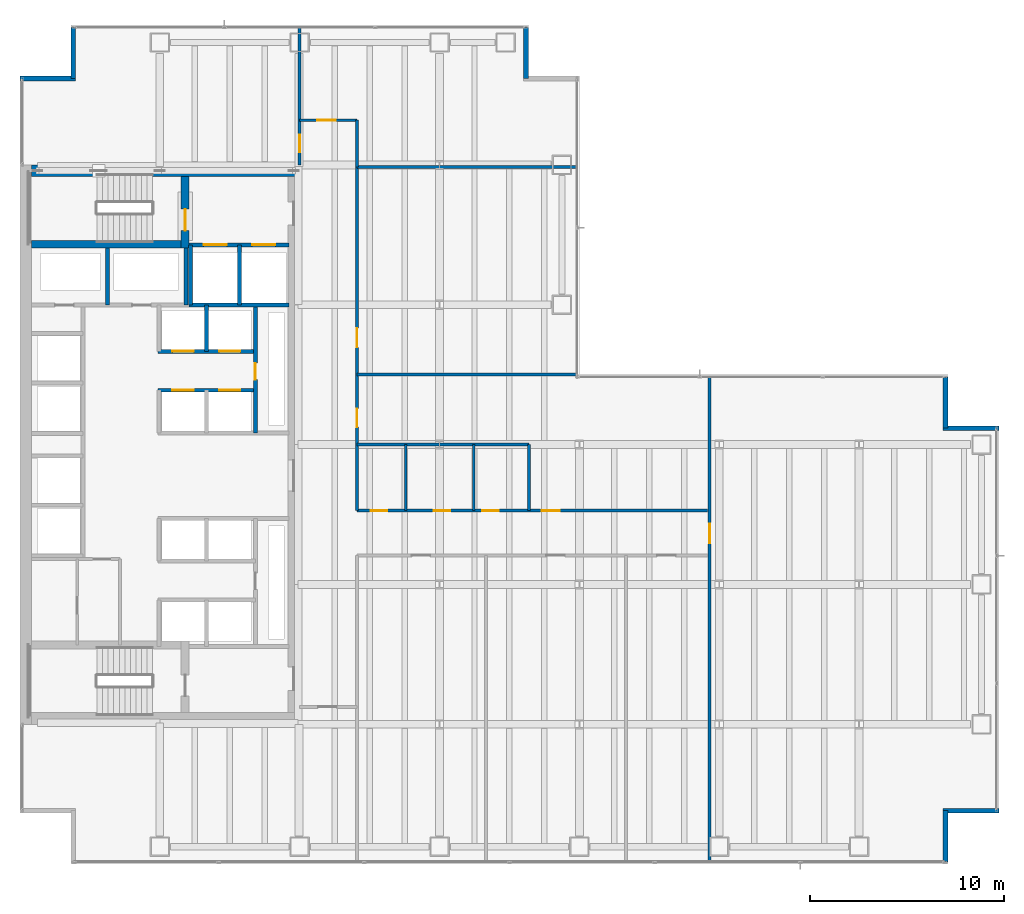
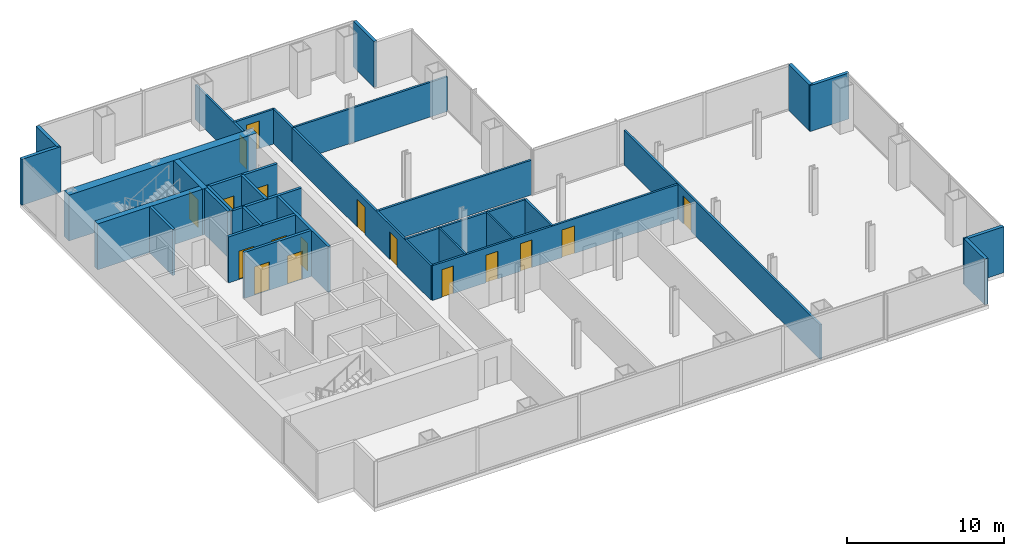
# One storey, part 21 of 25: 32 walls, 17 doors, 17 openings.
"""IFC4 building model written with IfcOpenShell, lengths in metres."""

from ifc_helpers import new_model, si_unit, direction, frame, frame_2d, origin, place, context, subcontext, project, spatial, rectangle, extrude, material, layer, layer_set, type_object, element, fill, save


model = new_model("IFC4")

# Units and contexts
model_context = context("Model", 3, precision=1e-05, world=origin(), true_north=direction((0.0, 1.0)))
body_context = subcontext(model_context, "Body", "Model", "MODEL_VIEW")
ifc_project = project(units=[si_unit("LENGTHUNIT", "METRE"), si_unit("AREAUNIT", "SQUARE_METRE"), si_unit("VOLUMEUNIT", "CUBIC_METRE"), si_unit("PLANEANGLEUNIT", "RADIAN"), si_unit("MASSUNIT", "GRAM", prefix="KILO")], contexts=[model_context])

# Site, building, storey
site_placement = place(None, origin())
site = spatial("IfcSite", under=ifc_project, at=site_placement, CompositionType="ELEMENT")
building_placement = place(site_placement, origin())
building = spatial("IfcBuilding", under=site, at=building_placement, Name="Cobrela Telecom Tower", CompositionType="ELEMENT")
storey_placement = place(building_placement, frame((0.0, 0.0, 46.550048828125)))
storey = spatial("IfcBuildingStorey", under=building, at=storey_placement, Name="L11", CompositionType="ELEMENT", Elevation=46.550048828125)

# Walls
ifc_material_1 = material(Name="Concrete C50/60", Category="concrete")
ifc_layer_1 = layer(ifc_material_1, 0.60009765625)
ifc_layer_set_1 = layer_set([ifc_layer_1], Name="Concrete C50/60")
wall_type_1 = type_object("IfcWallType", Name="WALL-CORE-C50-600", PredefinedType="SHEAR", material=ifc_layer_set_1)
wall_1_placement = place(storey_placement, frame((0.60009765625, 35.699951171875, 0.0), z_axis=(0.0, 0.0, 1.0), x_axis=(1.0, 0.0, 0.0)))
element("IfcWall", 1, at=wall_1_placement, inside=storey, type_object=wall_type_1, Name="L11 North Core Shear Wall", PredefinedType="SHEAR", context=body_context, shape_type="SweptSolid", body=[
    extrude(rectangle(XDim=13.7998046875, YDim=0.60009765625, at=frame_2d((6.89990234375, 0.0))), origin(), (0.0, 0.0, 1.0), 3.570068359375),
])
ifc_material_2 = material(Name="Concrete C40/50", Category="concrete")
ifc_layer_2 = layer(ifc_material_2, 0.239990234375)
ifc_layer_set_2 = layer_set([ifc_layer_2], Name="Concrete C40/50")
wall_type_2 = type_object("IfcWallType", Name="WALL-EXT-300", PredefinedType="STANDARD", material=ifc_layer_set_2)
wall_2_placement = place(storey_placement, frame((0.0, 40.449951171875, 0.0), z_axis=(0.0, 0.0, 1.0), x_axis=(1.0, 0.0, 0.0)))
element("IfcWall", 2, at=wall_2_placement, inside=storey, type_object=wall_type_2, Name="L11 Insulated Facade Wall 05", PredefinedType="STANDARD", context=body_context, shape_type="SweptSolid", body=[
    extrude(rectangle(XDim=2.8701171875, YDim=0.239990234375, at=frame_2d((1.43505859375, 0.0))), origin(), (0.0, 0.0, 1.0), 3.570068359375),
])
for number, where, z_axis, x_axis, name in (
    (3, (2.75, 40.449951171875, 0.0), (0.0, 0.0, 1.0), (0.0, 1.0, 0.0), "L11 Insulated Facade Wall 06"),
    (4, (26.050048828125, 43.080078125, 0.0), (0.0, 0.0, 1.0), (0.0, -1.0, 0.0), "L11 Insulated Facade Wall 08"),
    (5, (47.64990234375, 25.080078125, 0.0), (0.0, 0.0, 1.0), (0.0, -1.0, 0.0), "L11 Insulated Facade Wall 12"),
):
    element("IfcWall", number, at=place(storey_placement, frame(where, z_axis=z_axis, x_axis=x_axis)), inside=storey, type_object=wall_type_2, Name=name, PredefinedType="STANDARD", context=body_context, shape_type="SweptSolid", body=[
        extrude(rectangle(XDim=2.630126953125, YDim=0.239990234375, at=frame_2d((1.31494140625, 0.0))), origin(), (0.0, 0.0, 1.0), 3.570068359375),
    ])
for number, where, z_axis, x_axis, name in (
    (6, (47.530029296875, 22.449951171875, 0.0), (0.0, 0.0, 1.0), (1.0, 0.0, 0.0), "L11 Insulated Facade Wall 13"),
    (7, (50.39990234375, 2.75, 0.0), (0.0, 0.0, 1.0), (-1.0, 0.0, 0.0), "L11 Insulated Facade Wall 15"),
):
    element("IfcWall", number, at=place(storey_placement, frame(where, z_axis=z_axis, x_axis=x_axis)), inside=storey, type_object=wall_type_2, Name=name, PredefinedType="STANDARD", context=body_context, shape_type="SweptSolid", body=[
        extrude(rectangle(XDim=2.869873046875, YDim=0.239990234375, at=frame_2d((1.43505859375, 0.0))), origin(), (0.0, 0.0, 1.0), 3.570068359375),
    ])
wall_3_placement = place(storey_placement, frame((47.64990234375, 2.75, 0.0), z_axis=(0.0, 0.0, 1.0), x_axis=(0.0, -1.0, 0.0)))
element("IfcWall", 8, at=wall_3_placement, inside=storey, type_object=wall_type_2, Name="L11 Insulated Facade Wall 16", PredefinedType="STANDARD", context=body_context, shape_type="SweptSolid", body=[
    extrude(rectangle(XDim=2.6298828125, YDim=0.239990234375, at=frame_2d((1.31494140625, 0.0))), origin(), (0.0, 0.0, 1.0), 3.570068359375),
])
ifc_material_3 = material(Name="Fire-Rated Gypsum Plasterboard")
ifc_layer_3 = layer(ifc_material_3, 0.125)
ifc_layer_set_3 = layer_set([ifc_layer_3], Name="Fire-Rated Gypsum Plasterboard")
wall_type_3 = type_object("IfcWallType", Name="WALL-PART-125", PredefinedType="PARTITIONING", material=ifc_layer_set_3)
for number, where, z_axis, x_axis, name in (
    (9, (19.85009765625, 18.199951171875, 0.0), (0.0, 0.0, 1.0), (0.0, 1.0, 0.0), "L11 Interior Partition W-WCV-1"),
    (10, (23.35009765625, 18.199951171875, 0.0), (0.0, 0.0, 1.0), (0.0, 1.0, 0.0), "L11 Interior Partition W-WCV-2"),
):
    element("IfcWall", number, at=place(storey_placement, frame(where, z_axis=z_axis, x_axis=x_axis)), inside=storey, type_object=wall_type_3, Name=name, PredefinedType="PARTITIONING", context=body_context, shape_type="SweptSolid", body=[
        extrude(rectangle(XDim=3.400146484375, YDim=0.125, at=frame_2d((1.7001953125, 0.0))), origin(), (0.0, 0.0, 1.0), 2.698974609375),
    ])

# Wall, openings, doors
ifc_layer_4 = layer(ifc_material_3, 0.14990234375)
ifc_layer_set_4 = layer_set([ifc_layer_4], Name="Fire-Rated Gypsum Plasterboard")
wall_type_4 = type_object("IfcWallType", Name="WALL-PART-150", PredefinedType="PARTITIONING", material=ifc_layer_set_4)
wall_4_placement = place(storey_placement, frame((17.35009765625, 18.199951171875, 0.0), z_axis=(0.0, 0.0, 1.0), x_axis=(0.0, 1.0, 0.0)))
wall_4 = element("IfcWall", 11, at=wall_4_placement, inside=storey, type_object=wall_type_4, Name="L11 Interior Partition W-C-E2", PredefinedType="PARTITIONING", context=body_context, shape_type="SweptSolid", body=[
    extrude(rectangle(XDim=17.699951171875, YDim=0.14990234375, at=frame_2d((8.85009765625, 0.0))), origin(), (0.0, 0.0, 1.0), 2.698974609375),
])
opening_1_placement = place(wall_4_placement, frame((4.300048828125, 0.0, 0.0)))
opening_1 = element("IfcOpeningElement", 12, at=opening_1_placement, cuts=wall_4, Name="Opening DR-67", PredefinedType="OPENING", context=body_context, shape_type="SweptSolid", body=[
    extrude(rectangle(XDim=0.949951171875, YDim=2.14990234375, at=frame_2d((0.47509765625, 1.074951171875))), frame((0.0, 0.0869140625, 0.0), z_axis=(0.0, -1.0, 0.0), x_axis=(1.0, 0.0, 0.0)), (0.0, 0.0, 1.0), 0.173828125),
])
opening_2_placement = place(wall_4_placement, frame((8.39990234375, 0.0, 0.0)))
opening_2 = element("IfcOpeningElement", 13, at=opening_2_placement, cuts=wall_4, Name="Opening DR-31", PredefinedType="OPENING", context=body_context, shape_type="SweptSolid", body=[
    extrude(rectangle(XDim=1.0, YDim=2.14990234375, at=frame_2d((0.5, 1.074951171875))), frame((0.0, 0.0869140625, 0.0), z_axis=(0.0, -1.0, 0.0), x_axis=(1.0, 0.0, 0.0)), (0.0, 0.0, 1.0), 0.173828125),
])
ifc_material_4 = material(Name="Solid Engineered Oak Timber", Category="wood")
door_type_1 = type_object("IfcDoorType", Name="DOOR-INT-1000", OperationType="SINGLE_SWING_LEFT", PredefinedType="DOOR", material=ifc_material_4)
door_1_placement = place(opening_2_placement, origin())
door_1 = element("IfcDoor", 14, at=door_1_placement, inside=storey, type_object=door_type_1, Name="L11 Door DR-31", OperationType="SINGLE_SWING_LEFT", OverallHeight=2.14990234375, OverallWidth=1.0, PredefinedType="DOOR", context=body_context, shape_type="SweptSolid", body=[
    extrude(rectangle(XDim=1.0, YDim=2.14990234375, at=frame_2d((0.5, 1.074951171875))), frame((0.0, 0.02490234375, 0.0), z_axis=(0.0, -1.0, 0.0), x_axis=(1.0, 0.0, 0.0)), (0.0, 0.0, 1.0), 0.050048828125),
])
fill(opening_2, door_1)
door_type_2 = type_object("IfcDoorType", Name="DOOR-INT-950", OperationType="SINGLE_SWING_LEFT", PredefinedType="DOOR", material=ifc_material_4)
door_2_placement = place(opening_1_placement, origin())
door_2 = element("IfcDoor", 15, at=door_2_placement, inside=storey, type_object=door_type_2, Name="L11 Door DR-67", OperationType="SINGLE_SWING_RIGHT", OverallHeight=2.14990234375, OverallWidth=0.949951171875, PredefinedType="DOOR", context=body_context, shape_type="SweptSolid", body=[
    extrude(rectangle(XDim=0.949951171875, YDim=2.14990234375, at=frame_2d((0.47509765625, 1.074951171875))), frame((0.0, 0.02490234375, 0.0), z_axis=(0.0, -1.0, 0.0), x_axis=(1.0, 0.0, 0.0)), (0.0, 0.0, 1.0), 0.050048828125),
])
fill(opening_1, door_2)

wall_5_placement = place(storey_placement, frame((17.35009765625, 18.199951171875, 0.0), z_axis=(0.0, 0.0, 1.0), x_axis=(1.0, 0.0, 0.0)))
wall_5 = element("IfcWall", 16, at=wall_5_placement, inside=storey, type_object=wall_type_4, Name="L11 Interior Partition W-C-HN", PredefinedType="PARTITIONING", context=body_context, shape_type="SweptSolid", body=[
    extrude(rectangle(XDim=18.0498046875, YDim=0.14990234375, at=frame_2d((9.02490234375, 0.0))), origin(), (0.0, 0.0, 1.0), 2.698974609375),
])
opening_3_placement = place(wall_5_placement, frame((0.699951171875, 0.0, 0.0)))
opening_3 = element("IfcOpeningElement", 17, at=opening_3_placement, cuts=wall_5, Name="Opening DR-11", PredefinedType="OPENING", context=body_context, shape_type="SweptSolid", body=[
    extrude(rectangle(XDim=0.85009765625, YDim=2.14990234375, at=frame_2d((0.425048828125, 1.074951171875))), frame((0.0, 0.0869140625, 0.0), z_axis=(0.0, -1.0, 0.0), x_axis=(1.0, 0.0, 0.0)), (0.0, 0.0, 1.0), 0.173828125),
])
opening_4_placement = place(wall_5_placement, frame((3.949951171875, 0.0, 0.0)))
opening_4 = element("IfcOpeningElement", 18, at=opening_4_placement, cuts=wall_5, Name="Opening DR-11", PredefinedType="OPENING", context=body_context, shape_type="SweptSolid", body=[
    extrude(rectangle(XDim=0.85009765625, YDim=2.14990234375, at=frame_2d((0.425048828125, 1.074951171875))), frame((0.0, 0.0869140625, 0.0), z_axis=(0.0, -1.0, 0.0), x_axis=(1.0, 0.0, 0.0)), (0.0, 0.0, 1.0), 0.173828125),
])
opening_5_placement = place(wall_5_placement, frame((6.4599609375, 0.0, 0.0)))
opening_5 = element("IfcOpeningElement", 19, at=opening_5_placement, cuts=wall_5, Name="Opening DR-11", PredefinedType="OPENING", context=body_context, shape_type="SweptSolid", body=[
    extrude(rectangle(XDim=0.85009765625, YDim=2.14990234375, at=frame_2d((0.425048828125, 1.074951171875))), frame((0.0, 0.0869140625, 0.0), z_axis=(0.0, -1.0, 0.0), x_axis=(1.0, 0.0, 0.0)), (0.0, 0.0, 1.0), 0.173828125),
])
opening_6_placement = place(wall_5_placement, frame((9.5, 0.0, 0.0)))
opening_6 = element("IfcOpeningElement", 20, at=opening_6_placement, cuts=wall_5, Name="Opening DR-67", PredefinedType="OPENING", context=body_context, shape_type="SweptSolid", body=[
    extrude(rectangle(XDim=0.949951171875, YDim=2.14990234375, at=frame_2d((0.47509765625, 1.074951171875))), frame((0.0, 0.0869140625, 0.0), z_axis=(0.0, -1.0, 0.0), x_axis=(1.0, 0.0, 0.0)), (0.0, 0.0, 1.0), 0.173828125),
])
door_type_3 = type_object("IfcDoorType", Name="DOOR-INT-850", OperationType="SINGLE_SWING_LEFT", PredefinedType="DOOR", material=ifc_material_4)
door_3_placement = place(opening_3_placement, origin())
door_3 = element("IfcDoor", 21, at=door_3_placement, inside=storey, type_object=door_type_3, Name="L11 Door DR-11", OperationType="SINGLE_SWING_LEFT", OverallHeight=2.14990234375, OverallWidth=0.85009765625, PredefinedType="DOOR", context=body_context, shape_type="SweptSolid", body=[
    extrude(rectangle(XDim=0.85009765625, YDim=2.14990234375, at=frame_2d((0.425048828125, 1.074951171875))), frame((0.0, 0.02490234375, 0.0), z_axis=(0.0, -1.0, 0.0), x_axis=(1.0, 0.0, 0.0)), (0.0, 0.0, 1.0), 0.050048828125),
])
fill(opening_3, door_3)
door_4_placement = place(opening_4_placement, origin())
door_4 = element("IfcDoor", 22, at=door_4_placement, inside=storey, type_object=door_type_3, Name="L11 Door DR-11", OperationType="SINGLE_SWING_RIGHT", OverallHeight=2.14990234375, OverallWidth=0.85009765625, PredefinedType="DOOR", context=body_context, shape_type="SweptSolid", body=[
    extrude(rectangle(XDim=0.85009765625, YDim=2.14990234375, at=frame_2d((0.425048828125, 1.074951171875))), frame((0.0, 0.02490234375, 0.0), z_axis=(0.0, -1.0, 0.0), x_axis=(1.0, 0.0, 0.0)), (0.0, 0.0, 1.0), 0.050048828125),
])
fill(opening_4, door_4)
door_5_placement = place(opening_5_placement, origin())
door_5 = element("IfcDoor", 23, at=door_5_placement, inside=storey, type_object=door_type_3, Name="L11 Door DR-11", OperationType="SINGLE_SWING_LEFT", OverallHeight=2.14990234375, OverallWidth=0.85009765625, PredefinedType="DOOR", context=body_context, shape_type="SweptSolid", body=[
    extrude(rectangle(XDim=0.85009765625, YDim=2.14990234375, at=frame_2d((0.425048828125, 1.074951171875))), frame((0.0, 0.02490234375, 0.0), z_axis=(0.0, -1.0, 0.0), x_axis=(1.0, 0.0, 0.0)), (0.0, 0.0, 1.0), 0.050048828125),
])
fill(opening_5, door_5)
door_6_placement = place(opening_6_placement, origin())
door_6 = element("IfcDoor", 24, at=door_6_placement, inside=storey, type_object=door_type_2, Name="L11 Door DR-67", OperationType="SINGLE_SWING_RIGHT", OverallHeight=2.14990234375, OverallWidth=0.949951171875, PredefinedType="DOOR", context=body_context, shape_type="SweptSolid", body=[
    extrude(rectangle(XDim=0.949951171875, YDim=2.14990234375, at=frame_2d((0.47509765625, 1.074951171875))), frame((0.0, 0.02490234375, 0.0), z_axis=(0.0, -1.0, 0.0), x_axis=(1.0, 0.0, 0.0)), (0.0, 0.0, 1.0), 0.050048828125),
])
fill(opening_6, door_6)

# Wall, opening, door
wall_6_placement = place(storey_placement, frame((35.5, 0.1201171875, 0.0), z_axis=(0.0, 0.0, 1.0), x_axis=(0.0, 1.0, 0.0)))
wall_6 = element("IfcWall", 25, at=wall_6_placement, inside=storey, type_object=wall_type_4, Name="L11 Interior Partition W-C-END", PredefinedType="PARTITIONING", context=body_context, shape_type="SweptSolid", body=[
    extrude(rectangle(XDim=24.9599609375, YDim=0.14990234375, at=frame_2d((12.47998046875, 0.0))), origin(), (0.0, 0.0, 1.0), 2.698974609375),
])
opening_7_placement = place(wall_6_placement, frame((16.39990234375, 0.0, 0.0)))
opening_7 = element("IfcOpeningElement", 26, at=opening_7_placement, cuts=wall_6, Name="Opening DR-31", PredefinedType="OPENING", context=body_context, shape_type="SweptSolid", body=[
    extrude(rectangle(XDim=1.0, YDim=2.14990234375, at=frame_2d((0.5, 1.074951171875))), frame((0.0, 0.0869140625, 0.0), z_axis=(0.0, -1.0, 0.0), x_axis=(1.0, 0.0, 0.0)), (0.0, 0.0, 1.0), 0.173828125),
])
door_7_placement = place(opening_7_placement, origin())
door_7 = element("IfcDoor", 27, at=door_7_placement, inside=storey, type_object=door_type_1, Name="L11 Door DR-31", OperationType="SINGLE_SWING_LEFT", OverallHeight=2.14990234375, OverallWidth=1.0, PredefinedType="DOOR", context=body_context, shape_type="SweptSolid", body=[
    extrude(rectangle(XDim=1.0, YDim=2.14990234375, at=frame_2d((0.5, 1.074951171875))), frame((0.0, 0.02490234375, 0.0), z_axis=(0.0, -1.0, 0.0), x_axis=(1.0, 0.0, 0.0)), (0.0, 0.0, 1.0), 0.050048828125),
])
fill(opening_7, door_7)

wall_7_placement = place(storey_placement, frame((14.39990234375, 36.0, 0.0), z_axis=(0.0, 0.0, 1.0), x_axis=(0.0, 1.0, 0.0)))
wall_7 = element("IfcWall", 28, at=wall_7_placement, inside=storey, type_object=wall_type_4, Name="L11 Interior Partition W-CN-W", PredefinedType="PARTITIONING", context=body_context, shape_type="SweptSolid", body=[
    extrude(rectangle(XDim=7.080078125, YDim=0.14990234375, at=frame_2d((3.5400390625, 0.0))), origin(), (0.0, 0.0, 1.0), 2.698974609375),
])
opening_8_placement = place(wall_7_placement, frame((0.64990234375, 0.0, 0.0)))
opening_8 = element("IfcOpeningElement", 29, at=opening_8_placement, cuts=wall_7, Name="Opening DR-41", PredefinedType="OPENING", context=body_context, shape_type="SweptSolid", body=[
    extrude(rectangle(XDim=0.89990234375, YDim=2.14990234375, at=frame_2d((0.449951171875, 1.074951171875))), frame((0.0, 0.0869140625, 0.0), z_axis=(0.0, -1.0, 0.0), x_axis=(1.0, 0.0, 0.0)), (0.0, 0.0, 1.0), 0.173828125),
])
door_type_4 = type_object("IfcDoorType", Name="DOOR-INT-900", OperationType="SINGLE_SWING_LEFT", PredefinedType="DOOR", material=ifc_material_4)
door_8_placement = place(opening_8_placement, origin())
door_8 = element("IfcDoor", 30, at=door_8_placement, inside=storey, type_object=door_type_4, Name="L11 Door DR-41", OperationType="SINGLE_SWING_LEFT", OverallHeight=2.14990234375, OverallWidth=0.89990234375, PredefinedType="DOOR", context=body_context, shape_type="SweptSolid", body=[
    extrude(rectangle(XDim=0.89990234375, YDim=2.14990234375, at=frame_2d((0.449951171875, 1.074951171875))), frame((0.0, 0.02490234375, 0.0), z_axis=(0.0, -1.0, 0.0), x_axis=(1.0, 0.0, 0.0)), (0.0, 0.0, 1.0), 0.050048828125),
])
fill(opening_8, door_8)

# Wall
wall_8_placement = place(storey_placement, frame((17.35009765625, 35.89990234375, 0.0), z_axis=(0.0, 0.0, 1.0), x_axis=(0.0, 1.0, 0.0)))
element("IfcWall", 31, at=wall_8_placement, inside=storey, type_object=wall_type_4, Name="L11 Interior Partition W-CN-E", PredefinedType="PARTITIONING", context=body_context, shape_type="SweptSolid", body=[
    extrude(rectangle(XDim=2.400146484375, YDim=0.14990234375, at=frame_2d((1.2001953125, 0.0))), origin(), (0.0, 0.0, 1.0), 2.698974609375),
])

# Wall, opening, door
wall_9_placement = place(storey_placement, frame((14.39990234375, 38.300048828125, 0.0), z_axis=(0.0, 0.0, 1.0), x_axis=(1.0, 0.0, 0.0)))
wall_9 = element("IfcWall", 32, at=wall_9_placement, inside=storey, type_object=wall_type_4, Name="L11 Interior Partition W-CN-T", PredefinedType="PARTITIONING", context=body_context, shape_type="SweptSolid", body=[
    extrude(rectangle(XDim=2.9501953125, YDim=0.14990234375, at=frame_2d((1.47509765625, 0.0))), origin(), (0.0, 0.0, 1.0), 2.698974609375),
])
opening_9_placement = place(wall_9_placement, frame((0.89990234375, 0.0, 0.0)))
opening_9 = element("IfcOpeningElement", 33, at=opening_9_placement, cuts=wall_9, Name="Opening DR-67", PredefinedType="OPENING", context=body_context, shape_type="SweptSolid", body=[
    extrude(rectangle(XDim=0.949951171875, YDim=2.14990234375, at=frame_2d((0.47509765625, 1.074951171875))), frame((0.0, 0.0869140625, 0.0), z_axis=(0.0, -1.0, 0.0), x_axis=(1.0, 0.0, 0.0)), (0.0, 0.0, 1.0), 0.173828125),
])
door_9_placement = place(opening_9_placement, origin())
door_9 = element("IfcDoor", 34, at=door_9_placement, inside=storey, type_object=door_type_2, Name="L11 Door DR-67", OperationType="SINGLE_SWING_RIGHT", OverallHeight=2.14990234375, OverallWidth=0.949951171875, PredefinedType="DOOR", context=body_context, shape_type="SweptSolid", body=[
    extrude(rectangle(XDim=0.949951171875, YDim=2.14990234375, at=frame_2d((0.47509765625, 1.074951171875))), frame((0.0, 0.02490234375, 0.0), z_axis=(0.0, -1.0, 0.0), x_axis=(1.0, 0.0, 0.0)), (0.0, 0.0, 1.0), 0.050048828125),
])
fill(opening_9, door_9)

# Walls
wall_10_placement = place(storey_placement, frame((17.35009765625, 35.89990234375, 0.0), z_axis=(0.0, 0.0, 1.0), x_axis=(1.0, 0.0, 0.0)))
element("IfcWall", 35, at=wall_10_placement, inside=storey, type_object=wall_type_4, Name="L11 Interior Partition W-NW2-S", PredefinedType="PARTITIONING", context=body_context, shape_type="SweptSolid", body=[
    extrude(rectangle(XDim=11.329833984375, YDim=0.14990234375, at=frame_2d((5.6650390625, 0.0))), origin(), (0.0, 0.0, 1.0), 2.698974609375),
])
wall_11_placement = place(storey_placement, frame((17.35009765625, 21.60009765625, 0.0), z_axis=(0.0, 0.0, 1.0), x_axis=(1.0, 0.0, 0.0)))
element("IfcWall", 36, at=wall_11_placement, inside=storey, type_object=wall_type_4, Name="L11 Interior Partition W-WC-N", PredefinedType="PARTITIONING", context=body_context, shape_type="SweptSolid", body=[
    extrude(rectangle(XDim=8.849853515625, YDim=0.14990234375, at=frame_2d((4.4248046875, 0.0))), origin(), (0.0, 0.0, 1.0), 2.698974609375),
])
wall_12_placement = place(storey_placement, frame((26.199951171875, 18.199951171875, 0.0), z_axis=(0.0, 0.0, 1.0), x_axis=(0.0, 1.0, 0.0)))
element("IfcWall", 37, at=wall_12_placement, inside=storey, type_object=wall_type_4, Name="L11 Interior Partition W-WC-R", PredefinedType="PARTITIONING", context=body_context, shape_type="SweptSolid", body=[
    extrude(rectangle(XDim=3.400146484375, YDim=0.14990234375, at=frame_2d((1.7001953125, 0.0))), origin(), (0.0, 0.0, 1.0), 2.698974609375),
])
wall_13_placement = place(storey_placement, frame((17.35009765625, 25.199951171875, 0.0), z_axis=(0.0, 0.0, 1.0), x_axis=(1.0, 0.0, 0.0)))
element("IfcWall", 38, at=wall_13_placement, inside=storey, type_object=wall_type_4, Name="L11 Interior Partition W-NPAN-T", PredefinedType="PARTITIONING", context=body_context, shape_type="SweptSolid", body=[
    extrude(rectangle(XDim=11.329833984375, YDim=0.14990234375, at=frame_2d((5.6650390625, 0.0))), origin(), (0.0, 0.0, 1.0), 2.698974609375),
])

# Wall, openings, doors
ifc_layer_5 = layer(ifc_material_3, 0.199951171875)
ifc_layer_set_5 = layer_set([ifc_layer_5], Name="Fire-Rated Gypsum Plasterboard")
wall_type_5 = type_object("IfcWallType", Name="WALL-SHAFT-200", PredefinedType="PARTITIONING", material=ifc_layer_set_5)
wall_14_placement = place(storey_placement, frame((8.699951171875, 31.8798828125, 0.0), z_axis=(0.0, 0.0, 1.0), x_axis=(1.0, 0.0, 0.0)))
wall_14 = element("IfcWall", 39, at=wall_14_placement, inside=storey, type_object=wall_type_5, Name="L11 Shaft Enclosure CW-FFL-S", PredefinedType="PARTITIONING", context=body_context, shape_type="SweptSolid", body=[
    extrude(rectangle(XDim=5.150146484375, YDim=0.199951171875, at=frame_2d((2.5751953125, 0.0))), origin(), (0.0, 0.0, 1.0), 3.570068359375),
])
opening_10_placement = place(wall_14_placement, frame((0.75, 0.0, 0.0)))
opening_10 = element("IfcOpeningElement", 40, at=opening_10_placement, cuts=wall_14, Name="Opening LD-2", PredefinedType="OPENING", context=body_context, shape_type="SweptSolid", body=[
    extrude(rectangle(XDim=1.199951171875, YDim=2.199951171875, at=frame_2d((0.60009765625, 1.10009765625))), frame((0.0, 0.11181640625, 0.0), z_axis=(0.0, -1.0, 0.0), x_axis=(1.0, 0.0, 0.0)), (0.0, 0.0, 1.0), 0.223876953125),
])
opening_11_placement = place(wall_14_placement, frame((3.25, 0.0, 0.0)))
opening_11 = element("IfcOpeningElement", 41, at=opening_11_placement, cuts=wall_14, Name="Opening LD-2", PredefinedType="OPENING", context=body_context, shape_type="SweptSolid", body=[
    extrude(rectangle(XDim=1.199951171875, YDim=2.199951171875, at=frame_2d((0.60009765625, 1.10009765625))), frame((0.0, 0.11181640625, 0.0), z_axis=(0.0, -1.0, 0.0), x_axis=(1.0, 0.0, 0.0)), (0.0, 0.0, 1.0), 0.223876953125),
])
ifc_material_5 = material(Name="Steel ASTM A36", Category="steel")
door_type_5 = type_object("IfcDoorType", Name="DOOR-LD-FFL", OperationType="SINGLE_SWING_LEFT", PredefinedType="DOOR", material=ifc_material_5)
door_10_placement = place(opening_10_placement, origin())
door_10 = element("IfcDoor", 42, at=door_10_placement, inside=storey, type_object=door_type_5, Name="L11 Lift Landing Door LD-2", OperationType="DOUBLE_DOOR_SLIDING", OverallHeight=2.199951171875, OverallWidth=1.199951171875, PredefinedType="DOOR", context=body_context, shape_type="SweptSolid", body=[
    extrude(rectangle(XDim=1.199951171875, YDim=2.199951171875, at=frame_2d((0.60009765625, 1.10009765625))), frame((0.0, 0.02490234375, 0.0), z_axis=(0.0, -1.0, 0.0), x_axis=(1.0, 0.0, 0.0)), (0.0, 0.0, 1.0), 0.050048828125),
])
fill(opening_10, door_10)
door_11_placement = place(opening_11_placement, origin())
door_11 = element("IfcDoor", 43, at=door_11_placement, inside=storey, type_object=door_type_5, Name="L11 Lift Landing Door LD-2", OperationType="DOUBLE_DOOR_SLIDING", OverallHeight=2.199951171875, OverallWidth=1.199951171875, PredefinedType="DOOR", context=body_context, shape_type="SweptSolid", body=[
    extrude(rectangle(XDim=1.199951171875, YDim=2.199951171875, at=frame_2d((0.60009765625, 1.10009765625))), frame((0.0, 0.02490234375, 0.0), z_axis=(0.0, -1.0, 0.0), x_axis=(1.0, 0.0, 0.0)), (0.0, 0.0, 1.0), 0.050048828125),
])
fill(opening_11, door_11)

# Walls
wall_15_placement = place(storey_placement, frame((8.699951171875, 28.780029296875, 0.0), z_axis=(0.0, 0.0, 1.0), x_axis=(1.0, 0.0, 0.0)))
element("IfcWall", 44, at=wall_15_placement, inside=storey, type_object=wall_type_5, Name="L11 Shaft Enclosure CW-FFL-S2", PredefinedType="PARTITIONING", context=body_context, shape_type="SweptSolid", body=[
    extrude(rectangle(XDim=5.150146484375, YDim=0.199951171875, at=frame_2d((2.5751953125, 0.0))), origin(), (0.0, 0.0, 1.0), 3.570068359375),
])
for number, where, z_axis, x_axis, name in (
    (45, (8.780029296875, 28.780029296875, 0.0), (0.0, 0.0, 1.0), (0.0, 1.0, 0.0), "L11 Shaft Enclosure CW-FFL-W"),
    (46, (11.300048828125, 28.780029296875, 0.0), (0.0, 0.0, 1.0), (0.0, 1.0, 0.0), "L11 Shaft Enclosure CW-FFL-M"),
):
    element("IfcWall", number, at=place(storey_placement, frame(where, z_axis=z_axis, x_axis=x_axis)), inside=storey, type_object=wall_type_5, Name=name, PredefinedType="PARTITIONING", context=body_context, shape_type="SweptSolid", body=[
        extrude(rectangle(XDim=3.099853515625, YDim=0.199951171875, at=frame_2d((1.5498046875, 0.0))), origin(), (0.0, 0.0, 1.0), 3.570068359375),
    ])
for number, where, z_axis, x_axis, name in (
    (47, (4.5, 28.780029296875, 0.0), (0.0, 0.0, 1.0), (0.0, 1.0, 0.0), "L11 Shaft Enclosure CW-RIS-M"),
    (48, (8.550048828125, 28.780029296875, 0.0), (0.0, 0.0, 1.0), (0.0, 1.0, 0.0), "L11 Shaft Enclosure CW-RIS-E"),
):
    element("IfcWall", number, at=place(storey_placement, frame(where, z_axis=z_axis, x_axis=x_axis)), inside=storey, type_object=wall_type_5, Name=name, PredefinedType="PARTITIONING", context=body_context, shape_type="SweptSolid", body=[
        extrude(rectangle(XDim=2.93994140625, YDim=0.199951171875, at=frame_2d((1.469970703125, 0.0))), origin(), (0.0, 0.0, 1.0), 3.570068359375),
    ])

# Wall, openings, doors
wall_16_placement = place(storey_placement, frame((7.10009765625, 24.39990234375, 0.0), z_axis=(0.0, 0.0, 1.0), x_axis=(1.0, 0.0, 0.0)))
wall_16 = element("IfcWall", 49, at=wall_16_placement, inside=storey, type_object=wall_type_5, Name="L11 Shaft Enclosure CW-PLL-S", PredefinedType="PARTITIONING", context=body_context, shape_type="SweptSolid", body=[
    extrude(rectangle(XDim=5.02001953125, YDim=0.199951171875, at=frame_2d((2.510009765625, 0.0))), origin(), (0.0, 0.0, 1.0), 3.570068359375),
])
opening_12_placement = place(wall_16_placement, frame((0.75, 0.0, 0.0)))
opening_12 = element("IfcOpeningElement", 50, at=opening_12_placement, cuts=wall_16, Name="Opening LD-1", PredefinedType="OPENING", context=body_context, shape_type="SweptSolid", body=[
    extrude(rectangle(XDim=1.10009765625, YDim=2.199951171875, at=frame_2d((0.550048828125, 1.10009765625))), frame((0.0, 0.11181640625, 0.0), z_axis=(0.0, -1.0, 0.0), x_axis=(1.0, 0.0, 0.0)), (0.0, 0.0, 1.0), 0.223876953125),
])
opening_13_placement = place(wall_16_placement, frame((3.14990234375, 0.0, 0.0)))
opening_13 = element("IfcOpeningElement", 51, at=opening_13_placement, cuts=wall_16, Name="Opening LD-1", PredefinedType="OPENING", context=body_context, shape_type="SweptSolid", body=[
    extrude(rectangle(XDim=1.10009765625, YDim=2.199951171875, at=frame_2d((0.550048828125, 1.10009765625))), frame((0.0, 0.11181640625, 0.0), z_axis=(0.0, -1.0, 0.0), x_axis=(1.0, 0.0, 0.0)), (0.0, 0.0, 1.0), 0.223876953125),
])
door_type_6 = type_object("IfcDoorType", Name="DOOR-LD-PL", OperationType="SINGLE_SWING_LEFT", PredefinedType="DOOR", material=ifc_material_5)
door_12_placement = place(opening_12_placement, origin())
door_12 = element("IfcDoor", 52, at=door_12_placement, inside=storey, type_object=door_type_6, Name="L11 Lift Landing Door LD-1", OperationType="DOUBLE_DOOR_SLIDING", OverallHeight=2.199951171875, OverallWidth=1.10009765625, PredefinedType="DOOR", context=body_context, shape_type="SweptSolid", body=[
    extrude(rectangle(XDim=1.10009765625, YDim=2.199951171875, at=frame_2d((0.550048828125, 1.10009765625))), frame((0.0, 0.02490234375, 0.0), z_axis=(0.0, -1.0, 0.0), x_axis=(1.0, 0.0, 0.0)), (0.0, 0.0, 1.0), 0.050048828125),
])
fill(opening_12, door_12)
door_13_placement = place(opening_13_placement, origin())
door_13 = element("IfcDoor", 53, at=door_13_placement, inside=storey, type_object=door_type_6, Name="L11 Lift Landing Door LD-1", OperationType="DOUBLE_DOOR_SLIDING", OverallHeight=2.199951171875, OverallWidth=1.10009765625, PredefinedType="DOOR", context=body_context, shape_type="SweptSolid", body=[
    extrude(rectangle(XDim=1.10009765625, YDim=2.199951171875, at=frame_2d((0.550048828125, 1.10009765625))), frame((0.0, 0.02490234375, 0.0), z_axis=(0.0, -1.0, 0.0), x_axis=(1.0, 0.0, 0.0)), (0.0, 0.0, 1.0), 0.050048828125),
])
fill(opening_13, door_13)

wall_17_placement = place(storey_placement, frame((7.10009765625, 26.39990234375, 0.0), z_axis=(0.0, 0.0, 1.0), x_axis=(1.0, 0.0, 0.0)))
wall_17 = element("IfcWall", 54, at=wall_17_placement, inside=storey, type_object=wall_type_5, Name="L11 Shaft Enclosure CW-PLL-N", PredefinedType="PARTITIONING", context=body_context, shape_type="SweptSolid", body=[
    extrude(rectangle(XDim=5.02001953125, YDim=0.199951171875, at=frame_2d((2.510009765625, 0.0))), origin(), (0.0, 0.0, 1.0), 3.570068359375),
])
opening_14_placement = place(wall_17_placement, frame((0.75, 0.0, 0.0)))
opening_14 = element("IfcOpeningElement", 55, at=opening_14_placement, cuts=wall_17, Name="Opening LD-1", PredefinedType="OPENING", context=body_context, shape_type="SweptSolid", body=[
    extrude(rectangle(XDim=1.10009765625, YDim=2.199951171875, at=frame_2d((0.550048828125, 1.10009765625))), frame((0.0, 0.11181640625, 0.0), z_axis=(0.0, -1.0, 0.0), x_axis=(1.0, 0.0, 0.0)), (0.0, 0.0, 1.0), 0.223876953125),
])
opening_15_placement = place(wall_17_placement, frame((3.14990234375, 0.0, 0.0)))
opening_15 = element("IfcOpeningElement", 56, at=opening_15_placement, cuts=wall_17, Name="Opening LD-1", PredefinedType="OPENING", context=body_context, shape_type="SweptSolid", body=[
    extrude(rectangle(XDim=1.10009765625, YDim=2.199951171875, at=frame_2d((0.550048828125, 1.10009765625))), frame((0.0, 0.11181640625, 0.0), z_axis=(0.0, -1.0, 0.0), x_axis=(1.0, 0.0, 0.0)), (0.0, 0.0, 1.0), 0.223876953125),
])
door_14_placement = place(opening_14_placement, origin())
door_14 = element("IfcDoor", 57, at=door_14_placement, inside=storey, type_object=door_type_6, Name="L11 Lift Landing Door LD-1", OperationType="DOUBLE_DOOR_SLIDING", OverallHeight=2.199951171875, OverallWidth=1.10009765625, PredefinedType="DOOR", context=body_context, shape_type="SweptSolid", body=[
    extrude(rectangle(XDim=1.10009765625, YDim=2.199951171875, at=frame_2d((0.550048828125, 1.10009765625))), frame((0.0, 0.02490234375, 0.0), z_axis=(0.0, -1.0, 0.0), x_axis=(1.0, 0.0, 0.0)), (0.0, 0.0, 1.0), 0.050048828125),
])
fill(opening_14, door_14)
door_15_placement = place(opening_15_placement, origin())
door_15 = element("IfcDoor", 58, at=door_15_placement, inside=storey, type_object=door_type_6, Name="L11 Lift Landing Door LD-1", OperationType="DOUBLE_DOOR_SLIDING", OverallHeight=2.199951171875, OverallWidth=1.10009765625, PredefinedType="DOOR", context=body_context, shape_type="SweptSolid", body=[
    extrude(rectangle(XDim=1.10009765625, YDim=2.199951171875, at=frame_2d((0.550048828125, 1.10009765625))), frame((0.0, 0.02490234375, 0.0), z_axis=(0.0, -1.0, 0.0), x_axis=(1.0, 0.0, 0.0)), (0.0, 0.0, 1.0), 0.050048828125),
])
fill(opening_15, door_15)

# Wall
wall_18_placement = place(storey_placement, frame((9.60009765625, 26.39990234375, 0.0), z_axis=(0.0, 0.0, 1.0), x_axis=(0.0, 1.0, 0.0)))
element("IfcWall", 59, at=wall_18_placement, inside=storey, type_object=wall_type_5, Name="L11 Shaft Enclosure CW-PLL-V2B", PredefinedType="PARTITIONING", context=body_context, shape_type="SweptSolid", body=[
    extrude(rectangle(XDim=2.380126953125, YDim=0.199951171875, at=frame_2d((1.18994140625, 0.0))), origin(), (0.0, 0.0, 1.0), 3.570068359375),
])

# Wall, opening, door
wall_19_placement = place(storey_placement, frame((12.1201171875, 22.199951171875, 0.0), z_axis=(0.0, 0.0, 1.0), x_axis=(0.0, 1.0, 0.0)))
wall_19 = element("IfcWall", 60, at=wall_19_placement, inside=storey, type_object=wall_type_5, Name="L11 Shaft Enclosure CW-PLL-V3", PredefinedType="PARTITIONING", context=body_context, shape_type="SweptSolid", body=[
    extrude(rectangle(XDim=6.580078125, YDim=0.199951171875, at=frame_2d((3.2900390625, 0.0))), origin(), (0.0, 0.0, 1.0), 3.570068359375),
])
opening_16_placement = place(wall_19_placement, frame((2.75, 0.0, 0.0)))
opening_16 = element("IfcOpeningElement", 61, at=opening_16_placement, cuts=wall_19, Name="Opening DR-11", PredefinedType="OPENING", context=body_context, shape_type="SweptSolid", body=[
    extrude(rectangle(XDim=0.85009765625, YDim=2.14990234375, at=frame_2d((0.425048828125, 1.074951171875))), frame((0.0, 0.11181640625, 0.0), z_axis=(0.0, -1.0, 0.0), x_axis=(1.0, 0.0, 0.0)), (0.0, 0.0, 1.0), 0.223876953125),
])
door_16_placement = place(opening_16_placement, origin())
door_16 = element("IfcDoor", 62, at=door_16_placement, inside=storey, type_object=door_type_3, Name="L11 Door DR-11", OperationType="SINGLE_SWING_LEFT", OverallHeight=2.14990234375, OverallWidth=0.85009765625, PredefinedType="DOOR", context=body_context, shape_type="SweptSolid", body=[
    extrude(rectangle(XDim=0.85009765625, YDim=2.14990234375, at=frame_2d((0.425048828125, 1.074951171875))), frame((0.0, 0.02490234375, 0.0), z_axis=(0.0, -1.0, 0.0), x_axis=(1.0, 0.0, 0.0)), (0.0, 0.0, 1.0), 0.050048828125),
])
fill(opening_16, door_16)

# Wall
ifc_layer_6 = layer(ifc_material_2, 0.39990234375)
ifc_layer_set_6 = layer_set([ifc_layer_6], Name="Concrete C40/50")
wall_type_6 = type_object("IfcWallType", Name="WALL-SHAFT-C40-400", PredefinedType="SHEAR", material=ifc_layer_set_6)
wall_20_placement = place(storey_placement, frame((0.60009765625, 31.919921875, 0.0), z_axis=(0.0, 0.0, 1.0), x_axis=(1.0, 0.0, 0.0)))
element("IfcWall", 63, at=wall_20_placement, inside=storey, type_object=wall_type_6, Name="L11 North Stair Shear Wall", PredefinedType="SHEAR", context=body_context, shape_type="SweptSolid", body=[
    extrude(rectangle(XDim=7.699951171875, YDim=0.39990234375, at=frame_2d((3.85009765625, 0.0))), origin(), (0.0, 0.0, 1.0), 3.570068359375),
])

# Wall, opening, door
wall_21_placement = place(storey_placement, frame((8.5, 31.719970703125, 0.0), z_axis=(0.0, 0.0, 1.0), x_axis=(0.0, 1.0, 0.0)))
wall_21 = element("IfcWall", 64, at=wall_21_placement, inside=storey, type_object=wall_type_6, Name="L11 North Stair Lobby Shear Wall", PredefinedType="SHEAR", context=body_context, shape_type="SweptSolid", body=[
    extrude(rectangle(XDim=3.679931640625, YDim=0.39990234375, at=frame_2d((1.83984375, 0.0))), origin(), (0.0, 0.0, 1.0), 3.570068359375),
])
opening_17_placement = place(wall_21_placement, frame((0.89990234375, 0.0, 0.0)))
opening_17 = element("IfcOpeningElement", 65, at=opening_17_placement, cuts=wall_21, Name="Opening DR-59", PredefinedType="OPENING", context=body_context, shape_type="SweptSolid", body=[
    extrude(rectangle(XDim=1.10009765625, YDim=2.14990234375, at=frame_2d((0.550048828125, 1.074951171875))), frame((0.0, 0.2119140625, 0.0), z_axis=(0.0, -1.0, 0.0), x_axis=(1.0, 0.0, 0.0)), (0.0, 0.0, 1.0), 0.423828125),
])
door_type_7 = type_object("IfcDoorType", Name="DOOR-FD60-1100", OperationType="SINGLE_SWING_LEFT", PredefinedType="DOOR", material=ifc_material_5)
door_17_placement = place(opening_17_placement, origin())
door_17 = element("IfcDoor", 66, at=door_17_placement, inside=storey, type_object=door_type_7, Name="L11 Door DR-59", OperationType="SINGLE_SWING_RIGHT", OverallHeight=2.14990234375, OverallWidth=1.10009765625, PredefinedType="DOOR", context=body_context, shape_type="SweptSolid", body=[
    extrude(rectangle(XDim=1.10009765625, YDim=2.14990234375, at=frame_2d((0.550048828125, 1.074951171875))), frame((0.0, 0.02490234375, 0.0), z_axis=(0.0, -1.0, 0.0), x_axis=(1.0, 0.0, 0.0)), (0.0, 0.0, 1.0), 0.050048828125),
])
fill(opening_17, door_17)

save(model, "model.ifc")
